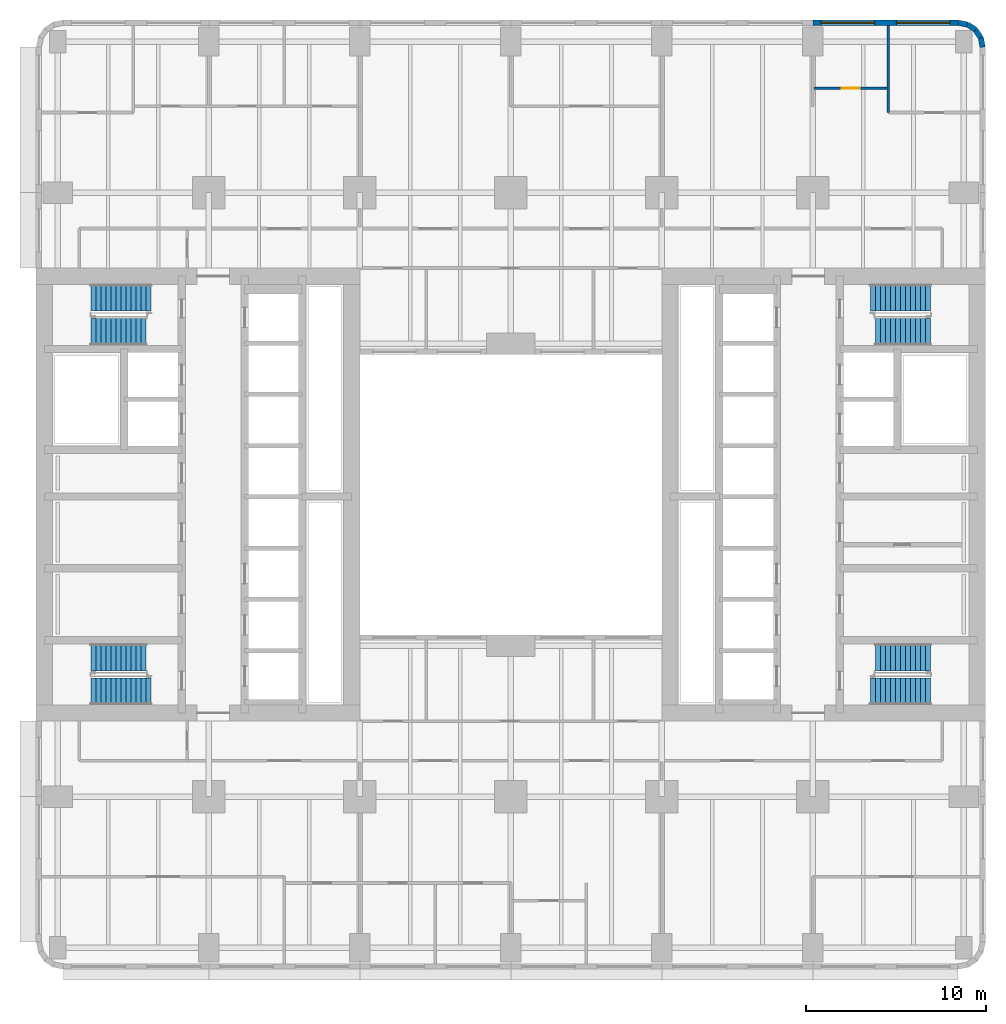
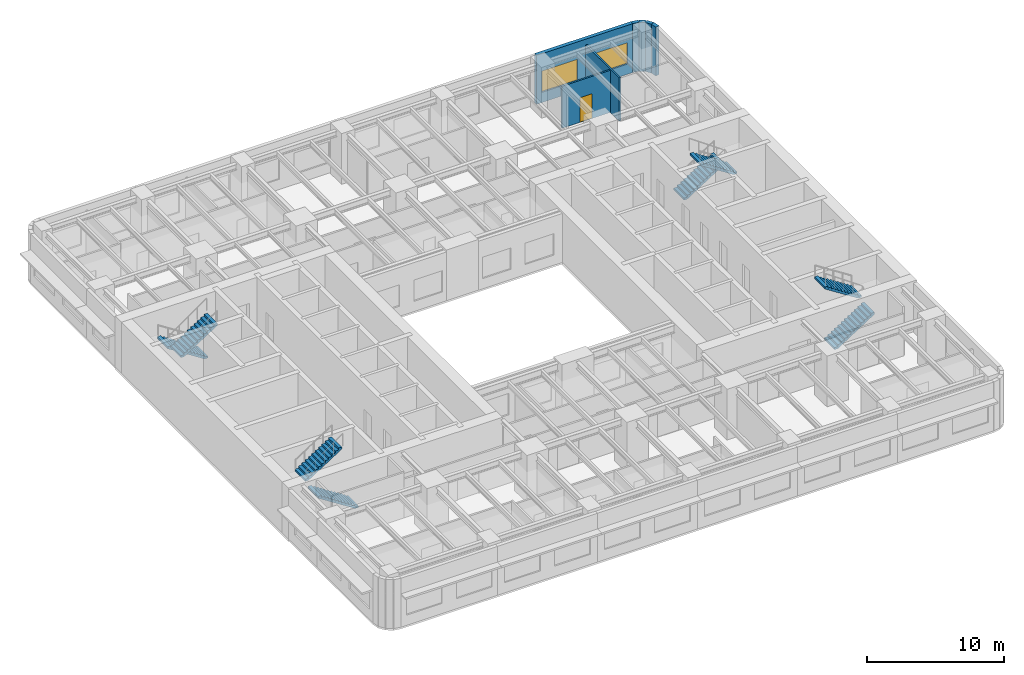
# One storey, part 8 of 12: 8 stair flights, 7 walls, 2 windows, 1 door, 3 openings, 4 elements without a shape of their own.
"""IFC4 building model written with IfcOpenShell, lengths in metres."""

from ifc_helpers import new_model, si_unit, direction, frame, frame_2d, origin, place, context, subcontext, project, spatial, polyline, rectangle, outline, extrude, material, layer, layer_set, type_object, element, fill, aggregate, save


model = new_model("IFC4")

# Units and contexts
model_context = context("Model", 3, precision=1e-05, world=origin(), true_north=direction((0.0, 1.0)))
body_context = subcontext(model_context, "Body", "Model", "MODEL_VIEW")
ifc_project = project(units=[si_unit("LENGTHUNIT", "METRE"), si_unit("AREAUNIT", "SQUARE_METRE"), si_unit("VOLUMEUNIT", "CUBIC_METRE"), si_unit("PLANEANGLEUNIT", "RADIAN"), si_unit("MASSUNIT", "GRAM", prefix="KILO")], contexts=[model_context])

# Site, building, storey
site_placement = place(None, origin())
site = spatial("IfcSite", under=ifc_project, at=site_placement, CompositionType="ELEMENT")
building_placement = place(site_placement, origin())
building = spatial("IfcBuilding", under=site, at=building_placement, Name="Claustro Exchange Tower", CompositionType="ELEMENT")
storey_placement = place(building_placement, frame((0.0, 0.0, 81.89990234375)))
storey = spatial("IfcBuildingStorey", under=building, at=storey_placement, Name="L18", CompositionType="ELEMENT", Elevation=81.89990234375)

# Wall, opening, door
ifc_material_1 = material(Name="Gypsum board on steel studs", Category="steel")
ifc_layer_1 = layer(ifc_material_1, 0.14990234375)
ifc_layer_set_1 = layer_set([ifc_layer_1], Name="Gypsum board on steel studs")
wall_type_1 = type_object("IfcWallType", Name="P1 150 plasterboard partition", PredefinedType="PARTITIONING", material=ifc_layer_set_1)
wall_1_placement = place(storey_placement, frame((42.073974609375, 47.800048828125, 0.0), z_axis=(0.0, 0.0, 1.0), x_axis=(1.0, 0.0, 0.0)))
wall_1 = element("IfcWall", 1, at=wall_1_placement, inside=storey, type_object=wall_type_1, Name="Partition P1 L18", PredefinedType="PARTITIONING", context=body_context, shape_type="SweptSolid", body=[
    extrude(rectangle(XDim=4.052001953125, YDim=0.14990234375, at=frame_2d((2.02587890625, 0.0))), origin(), (0.0, 0.0, 1.0), 3.739990234375),
])
opening_1_placement = place(wall_1_placement, frame((1.52587890625, 0.0, 0.0)))
opening_1 = element("IfcOpeningElement", 2, at=opening_1_placement, cuts=wall_1, Name="Opening D1", PredefinedType="OPENING", context=body_context, shape_type="SweptSolid", body=[
    extrude(rectangle(XDim=1.0, YDim=2.199951171875, at=frame_2d((0.5, 1.10009765625))), frame((0.0, 0.0849609375, 0.0), z_axis=(0.0, -1.0, 0.0), x_axis=(1.0, 0.0, 0.0)), (0.0, 0.0, 1.0), 0.169921875),
])
ifc_material_2 = material(Name="Timber door, oak veneer", Category="wood")
door_type = type_object("IfcDoorType", Name="D1 1000 x 2200 single door", OperationType="SINGLE_SWING_LEFT", PredefinedType="DOOR", material=ifc_material_2)
door_placement = place(opening_1_placement, origin())
door = element("IfcDoor", 3, at=door_placement, inside=storey, type_object=door_type, Name="Door D1 L18", OperationType="SINGLE_SWING_LEFT", OverallHeight=2.199951171875, OverallWidth=1.0, PredefinedType="DOOR", context=body_context, shape_type="SweptSolid", body=[
    extrude(rectangle(XDim=1.0, YDim=2.199951171875, at=frame_2d((0.5, 1.10009765625))), frame((0.0, 0.02490234375, 0.0), z_axis=(0.0, -1.0, 0.0), x_axis=(1.0, 0.0, 0.0)), (0.0, 0.0, 1.0), 0.050048828125),
])
fill(opening_1, door)

# Wall
wall_2_placement = place(storey_placement, frame((46.199951171875, 46.449951171875, 0.0), z_axis=(0.0, 0.0, 1.0), x_axis=(0.0, 1.0, 0.0)))
element("IfcWall", 4, at=wall_2_placement, inside=storey, type_object=wall_type_1, Name="Partition P1 L18", PredefinedType="PARTITIONING", context=body_context, shape_type="SweptSolid", body=[
    extrude(rectangle(XDim=4.85205078125, YDim=0.14990234375, at=frame_2d((2.426025390625, 0.0))), origin(), (0.0, 0.0, 1.0), 3.840087890625),
])

# Wall, openings, windows
ifc_material_3 = material(Name="Concrete HA-40 (C40/50), precast, white cement, acid-etched", Category="concrete")
ifc_layer_2 = layer(ifc_material_3, 0.300048828125)
ifc_layer_set_2 = layer_set([ifc_layer_2], Name="Concrete HA-40 (C40/50), precast, white cement, acid-etched")
wall_type_2 = type_object("IfcWallType", Name="PC1 300 precast concrete pier panel", PredefinedType="SOLIDWALL", material=ifc_layer_set_2)
wall_3_placement = place(storey_placement, frame((42.0, 51.449951171875, 0.0), z_axis=(0.0, 0.0, 1.0), x_axis=(1.0, 0.0, 0.0)))
wall_3 = element("IfcWall", 5, at=wall_3_placement, inside=storey, type_object=wall_type_2, Name="Precast pier panel PC1 L18", PredefinedType="SOLIDWALL", context=body_context, shape_type="SweptSolid", body=[
    extrude(rectangle(XDim=8.085205078125, YDim=0.300048828125, at=frame_2d((4.04248046875, 0.0))), origin(), (0.0, 0.0, 1.0), 4.340087890625),
])
opening_2_placement = place(wall_3_placement, frame((0.442626953125, 0.0, 0.89990234375)))
opening_2 = element("IfcOpeningElement", 6, at=opening_2_placement, cuts=wall_3, Name="Opening W1", PredefinedType="OPENING", context=body_context, shape_type="SweptSolid", body=[
    extrude(rectangle(XDim=3.0, YDim=1.89990234375, at=frame_2d((1.5, 0.949951171875))), frame((0.0, 0.159912109375, 0.0), z_axis=(0.0, -1.0, 0.0), x_axis=(1.0, 0.0, 0.0)), (0.0, 0.0, 1.0), 0.320068359375),
])
opening_3_placement = place(wall_3_placement, frame((4.642578125, 0.0, 0.89990234375)))
opening_3 = element("IfcOpeningElement", 7, at=opening_3_placement, cuts=wall_3, Name="Opening W1", PredefinedType="OPENING", context=body_context, shape_type="SweptSolid", body=[
    extrude(rectangle(XDim=3.0, YDim=1.89990234375, at=frame_2d((1.5, 0.949951171875))), frame((0.0, 0.159912109375, 0.0), z_axis=(0.0, -1.0, 0.0), x_axis=(1.0, 0.0, 0.0)), (0.0, 0.0, 1.0), 0.320068359375),
])
ifc_material_4 = material(Name="Aluminium frame, clear double glazing", Category="aluminium")
window_type = type_object("IfcWindowType", Name="W1 3000 x 1900 window", PartitioningType="SINGLE_PANEL", PredefinedType="WINDOW", material=ifc_material_4)
window_1_placement = place(opening_2_placement, origin())
window_1 = element("IfcWindow", 8, at=window_1_placement, inside=storey, type_object=window_type, Name="Window W1 L18", OverallHeight=1.89990234375, OverallWidth=3.0, PartitioningType="SINGLE_PANEL", PredefinedType="WINDOW", context=body_context, shape_type="SweptSolid", body=[
    extrude(rectangle(XDim=3.0, YDim=1.89990234375, at=frame_2d((1.5, 0.949951171875))), frame((0.0, 0.030029296875, 0.0), z_axis=(0.0, -1.0, 0.0), x_axis=(1.0, 0.0, 0.0)), (0.0, 0.0, 1.0), 0.06005859375),
])
fill(opening_2, window_1)
window_2_placement = place(opening_3_placement, origin())
window_2 = element("IfcWindow", 9, at=window_2_placement, inside=storey, type_object=window_type, Name="Window W1 L18", OverallHeight=1.89990234375, OverallWidth=3.0, PartitioningType="SINGLE_PANEL", PredefinedType="WINDOW", context=body_context, shape_type="SweptSolid", body=[
    extrude(rectangle(XDim=3.0, YDim=1.89990234375, at=frame_2d((1.5, 0.949951171875))), frame((0.0, 0.030029296875, 0.0), z_axis=(0.0, -1.0, 0.0), x_axis=(1.0, 0.0, 0.0)), (0.0, 0.0, 1.0), 0.06005859375),
])
fill(opening_3, window_2)

# Walls
wall_4_placement = place(storey_placement, frame((50.085205078125, 51.449951171875, 0.0), z_axis=(0.0, 0.0, 1.0), x_axis=(0.980788534345, -0.195073962632, 0.0)))
element("IfcWall", 10, at=wall_4_placement, inside=storey, type_object=wall_type_2, Name="Precast pier panel PC1 L18", PredefinedType="SOLIDWALL", context=body_context, shape_type="SweptSolid", body=[
    extrude(rectangle(XDim=0.540771484375, YDim=0.300048828125, at=frame_2d((0.2705078125, 0.0))), origin(), (0.0, 0.0, 1.0), 4.340087890625),
])
for number, where, z_axis, x_axis, name in (
    (11, (50.615478515625, 51.344482421875, 0.0), (0.0, 0.0, 1.0), (0.831478144188, -0.555557463938, 0.0), "Precast pier panel PC1 L18"),
    (12, (51.052490234375, 51.052490234375, 0.0), (0.0, 0.0, 1.0), (0.555557463938, -0.831478144188, 0.0), "Precast pier panel PC1 L18"),
):
    element("IfcWall", number, at=place(storey_placement, frame(where, z_axis=z_axis, x_axis=x_axis)), inside=storey, type_object=wall_type_2, Name=name, PredefinedType="SOLIDWALL", context=body_context, shape_type="SweptSolid", body=[
        extrude(rectangle(XDim=0.525634765625, YDim=0.300048828125, at=frame_2d((0.2626953125, 0.0))), origin(), (0.0, 0.0, 1.0), 4.340087890625),
    ])
wall_5_placement = place(storey_placement, frame((51.344482421875, 50.615478515625, 0.0), z_axis=(0.0, 0.0, 1.0), x_axis=(0.195073962632, -0.980788534345, 0.0)))
element("IfcWall", 13, at=wall_5_placement, inside=storey, type_object=wall_type_2, Name="Precast pier panel PC1 L18", PredefinedType="SOLIDWALL", context=body_context, shape_type="SweptSolid", body=[
    extrude(rectangle(XDim=0.540771484375, YDim=0.300048828125, at=frame_2d((0.2705078125, 0.0))), origin(), (0.0, 0.0, 1.0), 4.340087890625),
])

# Stair, stair flight
ifc_material_5 = material(Name="Concrete HA-30 (C30/37), precast", Category="concrete")
stair_type = type_object("IfcStairType", Name="ST2 half-turn stair, 25 risers of 180", PredefinedType="HALF_TURN_STAIR", material=ifc_material_5)
stair_1_placement = place(storey_placement, origin())
stair_1 = element("IfcStair", 14, at=stair_1_placement, inside=storey, type_object=stair_type, Name="Stair STWA L18", PredefinedType="HALF_TURN_STAIR")
ifc_material_6 = material(Name="Concrete HA-30 (C30/37), precast", Category="concrete")
stair_flight_type_1 = type_object("IfcStairFlightType", Name="SF12B straight flight, 12 risers of 180, 1500 wide", PredefinedType="STRAIGHT", material=ifc_material_6)
stair_flight_1_placement = place(storey_placement, frame((1.840087890625, 16.14990234375, 2.340087890625), z_axis=(0.0, 0.0, 1.0), x_axis=(1.0, 0.0, 0.0)))
stair_flight_1 = element("IfcStairFlight", 15, at=stair_flight_1_placement, type_object=stair_flight_type_1, Name="STWA flight 2", NumberOfRisers=12, NumberOfTreads=11, PredefinedType="STRAIGHT", RiserHeight=0.18, TreadLength=0.28, context=body_context, shape_type="SweptSolid", body=[
    extrude(outline(polyline([(0.0, 0.0), (0.0, 0.179931640625), (0.280029296875, 0.179931640625), (0.280029296875, 0.360107421875), (0.56005859375, 0.360107421875), (0.56005859375, 0.5400390625), (0.840087890625, 0.5400390625), (0.840087890625, 0.719970703125), (1.1201171875, 0.719970703125), (1.1201171875, 0.89990234375), (1.39990234375, 0.89990234375), (1.39990234375, 1.080078125), (1.679931640625, 1.080078125), (1.679931640625, 1.260009765625), (1.9599609375, 1.260009765625), (1.9599609375, 1.43994140625), (2.239990234375, 1.43994140625), (2.239990234375, 1.6201171875), (2.52001953125, 1.6201171875), (2.52001953125, 1.800048828125), (2.800048828125, 1.800048828125), (2.800048828125, 1.97998046875), (3.080078125, 1.97998046875), (3.080078125, 2.159912109375), (3.080078125, 1.8017578125), (0.277099609375, 0.0), (0.0, 0.0)])), frame((0.0, 0.75, 0.0), z_axis=(0.0, -1.0, 0.0), x_axis=(1.0, 0.0, 0.0)), (0.0, 0.0, 1.0), 1.5),
])

stair_2_placement = place(storey_placement, origin())
stair_2 = element("IfcStair", 16, at=stair_2_placement, inside=storey, type_object=stair_type, Name="Stair STWB L18", PredefinedType="HALF_TURN_STAIR")
stair_flight_2_placement = place(storey_placement, frame((1.840087890625, 34.25, 2.340087890625), z_axis=(0.0, 0.0, 1.0), x_axis=(1.0, 0.0, 0.0)))
stair_flight_2 = element("IfcStairFlight", 17, at=stair_flight_2_placement, type_object=stair_flight_type_1, Name="STWB flight 2", NumberOfRisers=12, NumberOfTreads=11, PredefinedType="STRAIGHT", RiserHeight=0.18, TreadLength=0.28, context=body_context, shape_type="SweptSolid", body=[
    extrude(outline(polyline([(0.0, 0.0), (0.0, 0.179931640625), (0.280029296875, 0.179931640625), (0.280029296875, 0.360107421875), (0.56005859375, 0.360107421875), (0.56005859375, 0.5400390625), (0.840087890625, 0.5400390625), (0.840087890625, 0.719970703125), (1.1201171875, 0.719970703125), (1.1201171875, 0.89990234375), (1.39990234375, 0.89990234375), (1.39990234375, 1.080078125), (1.679931640625, 1.080078125), (1.679931640625, 1.260009765625), (1.9599609375, 1.260009765625), (1.9599609375, 1.43994140625), (2.239990234375, 1.43994140625), (2.239990234375, 1.6201171875), (2.52001953125, 1.6201171875), (2.52001953125, 1.800048828125), (2.800048828125, 1.800048828125), (2.800048828125, 1.97998046875), (3.080078125, 1.97998046875), (3.080078125, 2.159912109375), (3.080078125, 1.8017578125), (0.277099609375, 0.0), (0.0, 0.0)])), frame((0.0, 0.75, 0.0), z_axis=(0.0, -1.0, 0.0), x_axis=(1.0, 0.0, 0.0)), (0.0, 0.0, 1.0), 1.5),
])

stair_3_placement = place(storey_placement, origin())
stair_3 = element("IfcStair", 18, at=stair_3_placement, inside=storey, type_object=stair_type, Name="Stair STEA L18", PredefinedType="HALF_TURN_STAIR")
stair_flight_3_placement = place(storey_placement, frame((48.56005859375, 16.14990234375, 2.340087890625), z_axis=(0.0, 0.0, 1.0), x_axis=(-1.0, 0.0, 0.0)))
stair_flight_3 = element("IfcStairFlight", 19, at=stair_flight_3_placement, type_object=stair_flight_type_1, Name="STEA flight 2", NumberOfRisers=12, NumberOfTreads=11, PredefinedType="STRAIGHT", RiserHeight=0.18, TreadLength=0.28, context=body_context, shape_type="SweptSolid", body=[
    extrude(outline(polyline([(0.0, 0.0), (0.0, 0.179931640625), (0.280029296875, 0.179931640625), (0.280029296875, 0.360107421875), (0.56005859375, 0.360107421875), (0.56005859375, 0.5400390625), (0.840087890625, 0.5400390625), (0.840087890625, 0.719970703125), (1.1201171875, 0.719970703125), (1.1201171875, 0.89990234375), (1.39990234375, 0.89990234375), (1.39990234375, 1.080078125), (1.679931640625, 1.080078125), (1.679931640625, 1.260009765625), (1.9599609375, 1.260009765625), (1.9599609375, 1.43994140625), (2.239990234375, 1.43994140625), (2.239990234375, 1.6201171875), (2.52001953125, 1.6201171875), (2.52001953125, 1.800048828125), (2.800048828125, 1.800048828125), (2.800048828125, 1.97998046875), (3.080078125, 1.97998046875), (3.080078125, 2.159912109375), (3.080078125, 1.8017578125), (0.277099609375, 0.0), (0.0, 0.0)])), frame((0.0, 0.75, 0.0), z_axis=(0.0, -1.0, 0.0), x_axis=(1.0, 0.0, 0.0)), (0.0, 0.0, 1.0), 1.5),
])

stair_4_placement = place(storey_placement, origin())
stair_4 = element("IfcStair", 20, at=stair_4_placement, inside=storey, type_object=stair_type, Name="Stair STEB L18", PredefinedType="HALF_TURN_STAIR")
stair_flight_4_placement = place(storey_placement, frame((48.56005859375, 34.25, 2.340087890625), z_axis=(0.0, 0.0, 1.0), x_axis=(-1.0, 0.0, 0.0)))
stair_flight_4 = element("IfcStairFlight", 21, at=stair_flight_4_placement, type_object=stair_flight_type_1, Name="STEB flight 2", NumberOfRisers=12, NumberOfTreads=11, PredefinedType="STRAIGHT", RiserHeight=0.18, TreadLength=0.28, context=body_context, shape_type="SweptSolid", body=[
    extrude(outline(polyline([(0.0, 0.0), (0.0, 0.179931640625), (0.280029296875, 0.179931640625), (0.280029296875, 0.360107421875), (0.56005859375, 0.360107421875), (0.56005859375, 0.5400390625), (0.840087890625, 0.5400390625), (0.840087890625, 0.719970703125), (1.1201171875, 0.719970703125), (1.1201171875, 0.89990234375), (1.39990234375, 0.89990234375), (1.39990234375, 1.080078125), (1.679931640625, 1.080078125), (1.679931640625, 1.260009765625), (1.9599609375, 1.260009765625), (1.9599609375, 1.43994140625), (2.239990234375, 1.43994140625), (2.239990234375, 1.6201171875), (2.52001953125, 1.6201171875), (2.52001953125, 1.800048828125), (2.800048828125, 1.800048828125), (2.800048828125, 1.97998046875), (3.080078125, 1.97998046875), (3.080078125, 2.159912109375), (3.080078125, 1.8017578125), (0.277099609375, 0.0), (0.0, 0.0)])), frame((0.0, 0.75, 0.0), z_axis=(0.0, -1.0, 0.0), x_axis=(1.0, 0.0, 0.0)), (0.0, 0.0, 1.0), 1.5),
])

# Stair flight
ifc_material_7 = material(Name="Concrete HA-30 (C30/37), precast", Category="concrete")
stair_flight_type_2 = type_object("IfcStairFlightType", Name="SF13 straight flight, 13 risers of 180, 1500 wide", PredefinedType="STRAIGHT", material=ifc_material_7)
stair_flight_5_placement = place(storey_placement, frame((5.199951171875, 14.25, 0.0), z_axis=(0.0, 0.0, 1.0), x_axis=(-1.0, 0.0, 0.0)))
stair_flight_5 = element("IfcStairFlight", 22, at=stair_flight_5_placement, type_object=stair_flight_type_2, Name="STWA flight 1", NumberOfRisers=13, NumberOfTreads=12, PredefinedType="STRAIGHT", RiserHeight=0.18, TreadLength=0.28, context=body_context, shape_type="SweptSolid", body=[
    extrude(outline(polyline([(0.0, 0.0), (0.0, 0.179931640625), (0.280029296875, 0.179931640625), (0.280029296875, 0.360107421875), (0.56005859375, 0.360107421875), (0.56005859375, 0.5400390625), (0.840087890625, 0.5400390625), (0.840087890625, 0.719970703125), (1.1201171875, 0.719970703125), (1.1201171875, 0.89990234375), (1.39990234375, 0.89990234375), (1.39990234375, 1.080078125), (1.679931640625, 1.080078125), (1.679931640625, 1.260009765625), (1.9599609375, 1.260009765625), (1.9599609375, 1.43994140625), (2.239990234375, 1.43994140625), (2.239990234375, 1.6201171875), (2.52001953125, 1.6201171875), (2.52001953125, 1.800048828125), (2.800048828125, 1.800048828125), (2.800048828125, 1.97998046875), (3.080078125, 1.97998046875), (3.080078125, 2.159912109375), (3.360107421875, 2.159912109375), (3.360107421875, 2.340087890625), (3.360107421875, 1.981689453125), (0.277099609375, 0.0), (0.0, 0.0)])), frame((0.0, 0.75, 0.0), z_axis=(0.0, -1.0, 0.0), x_axis=(1.0, 0.0, 0.0)), (0.0, 0.0, 1.0), 1.5),
])

aggregate(stair_1, [stair_flight_5, stair_flight_1])

stair_flight_6_placement = place(storey_placement, frame((5.199951171875, 36.14990234375, 0.0), z_axis=(0.0, 0.0, 1.0), x_axis=(-1.0, 0.0, 0.0)))
stair_flight_6 = element("IfcStairFlight", 23, at=stair_flight_6_placement, type_object=stair_flight_type_2, Name="STWB flight 1", NumberOfRisers=13, NumberOfTreads=12, PredefinedType="STRAIGHT", RiserHeight=0.18, TreadLength=0.28, context=body_context, shape_type="SweptSolid", body=[
    extrude(outline(polyline([(0.0, 0.0), (0.0, 0.179931640625), (0.280029296875, 0.179931640625), (0.280029296875, 0.360107421875), (0.56005859375, 0.360107421875), (0.56005859375, 0.5400390625), (0.840087890625, 0.5400390625), (0.840087890625, 0.719970703125), (1.1201171875, 0.719970703125), (1.1201171875, 0.89990234375), (1.39990234375, 0.89990234375), (1.39990234375, 1.080078125), (1.679931640625, 1.080078125), (1.679931640625, 1.260009765625), (1.9599609375, 1.260009765625), (1.9599609375, 1.43994140625), (2.239990234375, 1.43994140625), (2.239990234375, 1.6201171875), (2.52001953125, 1.6201171875), (2.52001953125, 1.800048828125), (2.800048828125, 1.800048828125), (2.800048828125, 1.97998046875), (3.080078125, 1.97998046875), (3.080078125, 2.159912109375), (3.360107421875, 2.159912109375), (3.360107421875, 2.340087890625), (3.360107421875, 1.981689453125), (0.277099609375, 0.0), (0.0, 0.0)])), frame((0.0, 0.75, 0.0), z_axis=(0.0, -1.0, 0.0), x_axis=(1.0, 0.0, 0.0)), (0.0, 0.0, 1.0), 1.5),
])

aggregate(stair_2, [stair_flight_6, stair_flight_2])

stair_flight_7_placement = place(storey_placement, frame((45.199951171875, 14.25, 0.0), z_axis=(0.0, 0.0, 1.0), x_axis=(1.0, 0.0, 0.0)))
stair_flight_7 = element("IfcStairFlight", 24, at=stair_flight_7_placement, type_object=stair_flight_type_2, Name="STEA flight 1", NumberOfRisers=13, NumberOfTreads=12, PredefinedType="STRAIGHT", RiserHeight=0.18, TreadLength=0.28, context=body_context, shape_type="SweptSolid", body=[
    extrude(outline(polyline([(0.0, 0.0), (0.0, 0.179931640625), (0.280029296875, 0.179931640625), (0.280029296875, 0.360107421875), (0.56005859375, 0.360107421875), (0.56005859375, 0.5400390625), (0.840087890625, 0.5400390625), (0.840087890625, 0.719970703125), (1.1201171875, 0.719970703125), (1.1201171875, 0.89990234375), (1.39990234375, 0.89990234375), (1.39990234375, 1.080078125), (1.679931640625, 1.080078125), (1.679931640625, 1.260009765625), (1.9599609375, 1.260009765625), (1.9599609375, 1.43994140625), (2.239990234375, 1.43994140625), (2.239990234375, 1.6201171875), (2.52001953125, 1.6201171875), (2.52001953125, 1.800048828125), (2.800048828125, 1.800048828125), (2.800048828125, 1.97998046875), (3.080078125, 1.97998046875), (3.080078125, 2.159912109375), (3.360107421875, 2.159912109375), (3.360107421875, 2.340087890625), (3.360107421875, 1.981689453125), (0.277099609375, 0.0), (0.0, 0.0)])), frame((0.0, 0.75, 0.0), z_axis=(0.0, -1.0, 0.0), x_axis=(1.0, 0.0, 0.0)), (0.0, 0.0, 1.0), 1.5),
])

aggregate(stair_3, [stair_flight_7, stair_flight_3])

stair_flight_8_placement = place(storey_placement, frame((45.199951171875, 36.14990234375, 0.0), z_axis=(0.0, 0.0, 1.0), x_axis=(1.0, 0.0, 0.0)))
stair_flight_8 = element("IfcStairFlight", 25, at=stair_flight_8_placement, type_object=stair_flight_type_2, Name="STEB flight 1", NumberOfRisers=13, NumberOfTreads=12, PredefinedType="STRAIGHT", RiserHeight=0.18, TreadLength=0.28, context=body_context, shape_type="SweptSolid", body=[
    extrude(outline(polyline([(0.0, 0.0), (0.0, 0.179931640625), (0.280029296875, 0.179931640625), (0.280029296875, 0.360107421875), (0.56005859375, 0.360107421875), (0.56005859375, 0.5400390625), (0.840087890625, 0.5400390625), (0.840087890625, 0.719970703125), (1.1201171875, 0.719970703125), (1.1201171875, 0.89990234375), (1.39990234375, 0.89990234375), (1.39990234375, 1.080078125), (1.679931640625, 1.080078125), (1.679931640625, 1.260009765625), (1.9599609375, 1.260009765625), (1.9599609375, 1.43994140625), (2.239990234375, 1.43994140625), (2.239990234375, 1.6201171875), (2.52001953125, 1.6201171875), (2.52001953125, 1.800048828125), (2.800048828125, 1.800048828125), (2.800048828125, 1.97998046875), (3.080078125, 1.97998046875), (3.080078125, 2.159912109375), (3.360107421875, 2.159912109375), (3.360107421875, 2.340087890625), (3.360107421875, 1.981689453125), (0.277099609375, 0.0), (0.0, 0.0)])), frame((0.0, 0.75, 0.0), z_axis=(0.0, -1.0, 0.0), x_axis=(1.0, 0.0, 0.0)), (0.0, 0.0, 1.0), 1.5),
])

aggregate(stair_4, [stair_flight_8, stair_flight_4])

save(model, "model.ifc")
